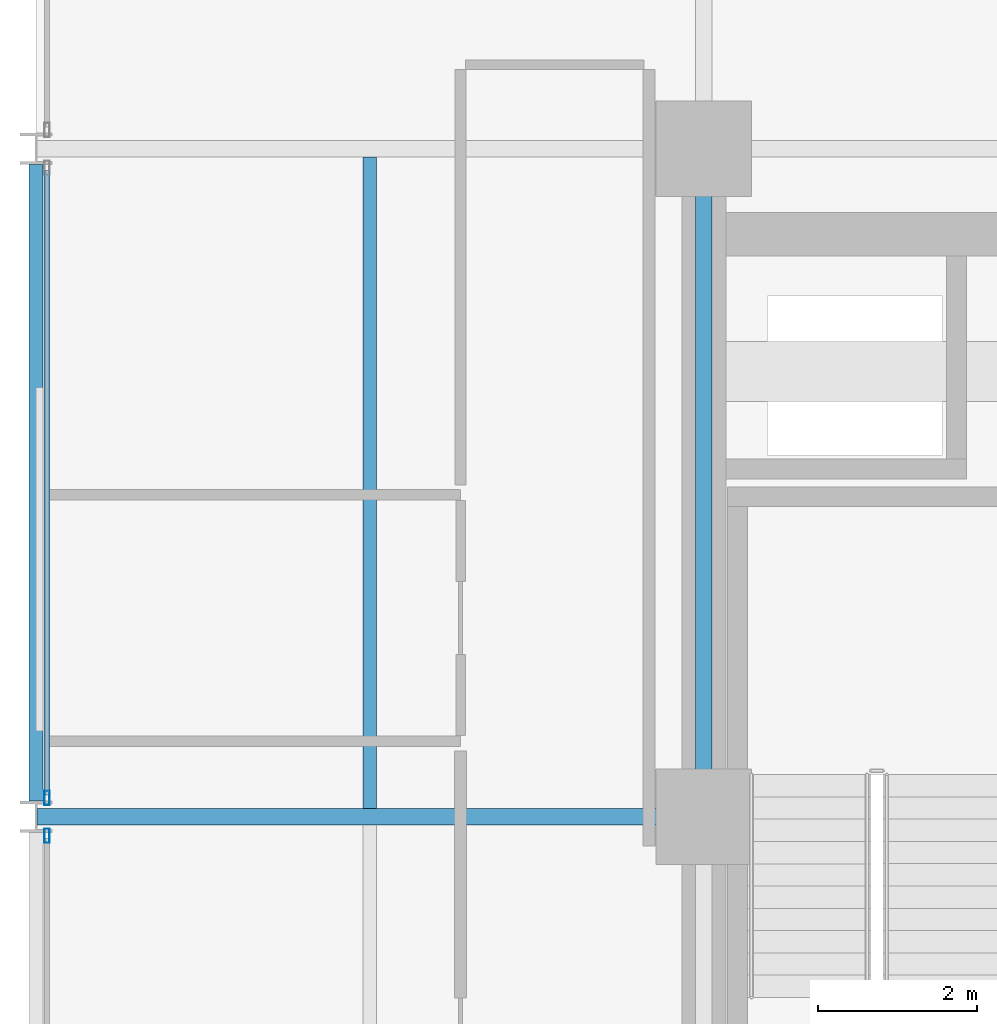
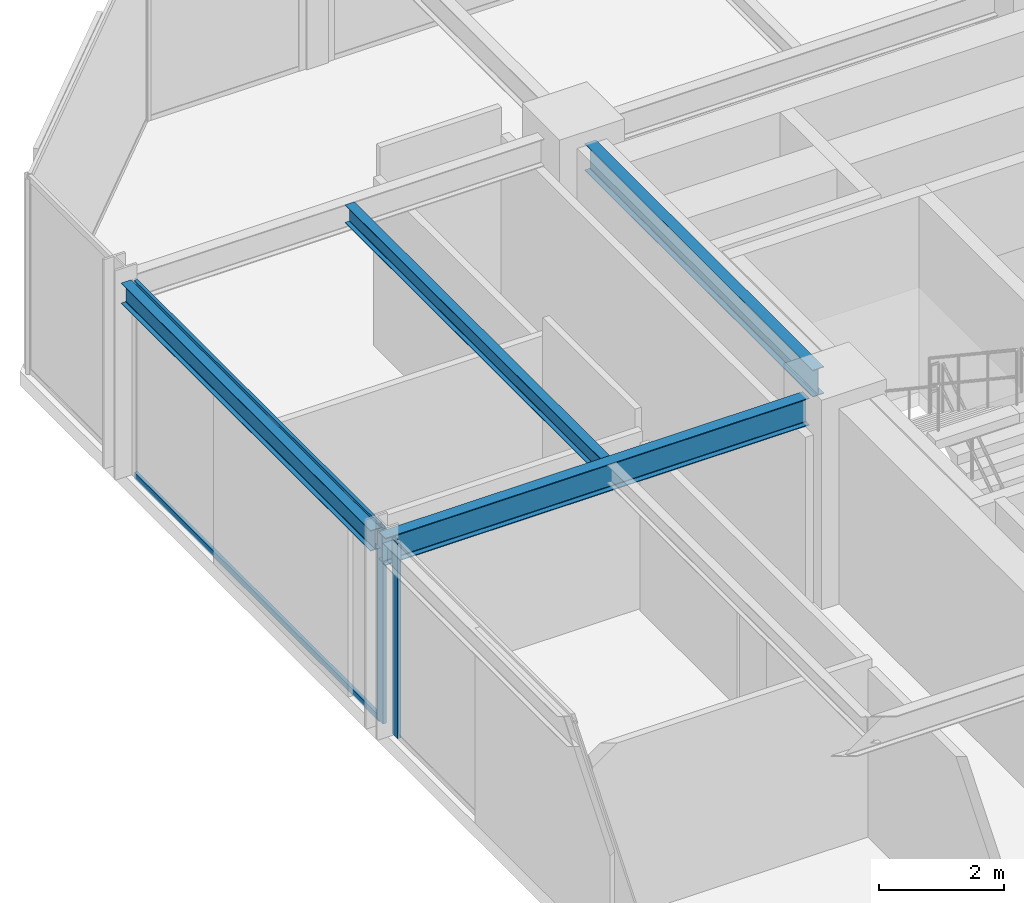
# One storey, part 16 of 29: 4 beams, 4 members, 2 elements without a shape of their own.
"""IFC4 building model written with IfcOpenShell, lengths in metres."""

from ifc_helpers import new_model, si_unit, direction, frame, origin, origin_2d, place, context, subcontext, project, spatial, hollow_rectangle, i_section, extrude, material, layer, layer_set, material_profile, profile_set, type_object, element, aggregate, save


model = new_model("IFC4")

# Units and contexts
model_context = context("Model", 3, precision=1e-05, world=origin(), true_north=direction((0.0, 1.0)))
body_context = subcontext(model_context, "Body", "Model", "MODEL_VIEW")
ifc_project = project(units=[si_unit("LENGTHUNIT", "METRE"), si_unit("AREAUNIT", "SQUARE_METRE"), si_unit("VOLUMEUNIT", "CUBIC_METRE"), si_unit("PLANEANGLEUNIT", "RADIAN"), si_unit("MASSUNIT", "GRAM", prefix="KILO")], contexts=[model_context])

# Site, building, storey
site_placement = place(None, origin())
site = spatial("IfcSite", under=ifc_project, at=site_placement, CompositionType="ELEMENT")
building_placement = place(site_placement, origin())
building = spatial("IfcBuilding", under=site, at=building_placement, Name="Nerrivon Quay Data Exchange", CompositionType="ELEMENT")
storey_placement = place(building_placement, frame((0.0, 0.0, 133.60009765625)))
storey = spatial("IfcBuildingStorey", under=building, at=storey_placement, Name="L31", CompositionType="ELEMENT", Elevation=133.60009765625)

# Beams
ifc_material_1 = material(Name="Steel Grade 350", Category="steel")
ifc_material_profile_1 = material_profile(ifc_material_1, i_section(OverallWidth=0.208984375, OverallDepth=0.532958984375, WebThickness=0.01025390625, FlangeThickness=0.015625, FilletRadius=0.013916015625, at=origin_2d()), Name="530UB92.4")
ifc_profile_set_1 = profile_set([ifc_material_profile_1], Name="Steel Grade 350")
beam_type_1 = type_object("IfcBeamType", Name="BM-G3-530UB92", PredefinedType="BEAM", material=ifc_profile_set_1)
beam_1_placement = place(storey_placement, frame((0.012451171875, 33.60009765625, 3.558349609375), z_axis=(1.0, 0.0, 0.0), x_axis=(0.0, 1.0, 0.0)))
element("IfcBeam", 1, at=beam_1_placement, inside=storey, type_object=beam_type_1, Name="L31 EW Girder Y=33.6 (0.0..8.4)", PredefinedType="BEAM", context=body_context, shape_type="SweptSolid", body=[
    extrude(i_section(OverallWidth=0.208984375, OverallDepth=0.532958984375, WebThickness=0.01025390625, FlangeThickness=0.015625, FilletRadius=0.013916015625, at=origin_2d()), origin(), (0.0, 0.0, 1.0), 7.84765625),
])
ifc_material_profile_2 = material_profile(ifc_material_1, i_section(OverallWidth=0.208984375, OverallDepth=0.528076171875, WebThickness=0.009521484375, FlangeThickness=0.01318359375, FilletRadius=0.013916015625, at=origin_2d()), Name="530UB82.0")
ifc_profile_set_2 = profile_set([ifc_material_profile_2], Name="Steel Grade 350")
beam_type_2 = type_object("IfcBeamType", Name="BM-G4-530UB82", PredefinedType="BEAM", material=ifc_profile_set_2)
beam_2_placement = place(storey_placement, frame((8.39990234375, 34.139892578125, 3.560791015625), z_axis=(0.0, 1.0, 0.0), x_axis=(-1.0, 0.0, 0.0)))
element("IfcBeam", 2, at=beam_2_placement, inside=storey, type_object=beam_type_2, Name="L31 NS Girder X=8.4 (33.6..42.0)", PredefinedType="BEAM", context=body_context, shape_type="SweptSolid", body=[
    extrude(i_section(OverallWidth=0.208984375, OverallDepth=0.528076171875, WebThickness=0.009521484375, FlangeThickness=0.01318359375, FilletRadius=0.013916015625, at=origin_2d()), origin(), (0.0, 0.0, 1.0), 7.320068359375),
])
ifc_material_profile_3 = material_profile(ifc_material_1, i_section(OverallWidth=0.1708984375, OverallDepth=0.35595703125, WebThickness=0.00732421875, FlangeThickness=0.011474609375, FilletRadius=0.011474609375, at=origin_2d()), Name="360UB50.7")
ifc_profile_set_3 = profile_set([ifc_material_profile_3], Name="Steel Grade 350")
beam_type_3 = type_object("IfcBeamType", Name="BM-J4-360UB51", PredefinedType="JOIST", material=ifc_profile_set_3)
beam_3_placement = place(storey_placement, frame((4.199951171875, 33.70458984375, 3.64697265625), z_axis=(0.0, 1.0, 0.0), x_axis=(-1.0, 0.0, 0.0)))
element("IfcBeam", 3, at=beam_3_placement, inside=storey, type_object=beam_type_3, Name="L31 Secondary Joist X=4.2 (33.6..42.0)", PredefinedType="JOIST", context=body_context, shape_type="SweptSolid", body=[
    extrude(i_section(OverallWidth=0.1708984375, OverallDepth=0.35595703125, WebThickness=0.00732421875, FlangeThickness=0.011474609375, FilletRadius=0.011474609375, at=origin_2d()), origin(), (0.0, 0.0, 1.0), 8.19091796875),
])
ifc_material_profile_4 = material_profile(ifc_material_1, i_section(OverallWidth=0.177978515625, OverallDepth=0.403076171875, WebThickness=0.007568359375, FlangeThickness=0.010986328125, FilletRadius=0.011474609375, at=origin_2d()), Name="410UB53.7")
ifc_profile_set_4 = profile_set([ifc_material_profile_4], Name="Steel Grade 350")
beam_type_4 = type_object("IfcBeamType", Name="BM-SP2-410UB54", PredefinedType="SPANDREL", material=ifc_profile_set_4)
beam_4_placement = place(storey_placement, frame((0.0, 33.800048828125, 3.623291015625), z_axis=(0.0, 1.0, 0.0), x_axis=(-1.0, 0.0, 0.0)))
element("IfcBeam", 4, at=beam_4_placement, inside=storey, type_object=beam_type_4, Name="L31 NS Girder X=0.0 (33.6..42.0)", PredefinedType="SPANDREL", context=body_context, shape_type="SweptSolid", body=[
    extrude(i_section(OverallWidth=0.177978515625, OverallDepth=0.403076171875, WebThickness=0.007568359375, FlangeThickness=0.010986328125, FilletRadius=0.011474609375, at=origin_2d()), origin(), (0.0, 0.0, 1.0), 8.0),
])

# Curtain wall, member
ifc_material_2 = material(Name="Anodised aluminium 6063-T6", Category="aluminium")
ifc_layer = layer(ifc_material_2, 0.2099609375)
ifc_layer_set = layer_set([ifc_layer], Name="Anodised aluminium 6063-T6")
curtain_wall_type = type_object("IfcCurtainWallType", Name="CW-SYS-02", PredefinedType="NOTDEFINED", material=ifc_layer_set)
curtain_wall_1_placement = place(storey_placement, origin())
curtain_wall_1 = element("IfcCurtainWall", 5, at=curtain_wall_1_placement, inside=storey, type_object=curtain_wall_type, Name="L31 Unitised Curtain Wall 14", PredefinedType="NOTDEFINED")
ifc_material_profile_5 = material_profile(ifc_material_2, hollow_rectangle(XDim=0.06494140625, YDim=0.179931640625, WallThickness=0.00341796875, at=origin_2d()), Name="ALU-MULL-180x65")
ifc_profile_set_5 = profile_set([ifc_material_profile_5], Name="Anodised aluminium 6063-T6")
member_type_1 = type_object("IfcMemberType", Name="CWM-180x65", PredefinedType="MULLION", material=ifc_profile_set_5)
member_1_placement = place(storey_placement, frame((0.139892578125, 33.362548828125, 0.0), z_axis=(0.0, 0.0, 1.0), x_axis=(-1.0, 0.0, 0.0)))
member_1 = element("IfcMember", 6, at=member_1_placement, type_object=member_type_1, Name="CW02 mullion 2", PredefinedType="MULLION", context=body_context, shape_type="SweptSolid", body=[
    extrude(hollow_rectangle(XDim=0.06494140625, YDim=0.179931640625, WallThickness=0.00341796875, at=origin_2d()), origin(), (0.0, 0.0, 1.0), 3.824951171875),
])
aggregate(curtain_wall_1, [member_1])

# Curtain wall, members
curtain_wall_2_placement = place(storey_placement, origin())
curtain_wall_2 = element("IfcCurtainWall", 7, at=curtain_wall_2_placement, inside=storey, type_object=curtain_wall_type, Name="L31 Unitised Curtain Wall 15", PredefinedType="NOTDEFINED")
member_2_placement = place(storey_placement, frame((0.139892578125, 33.83740234375, 0.0), z_axis=(0.0, 0.0, 1.0), x_axis=(-1.0, 0.0, 0.0)))
member_2 = element("IfcMember", 8, at=member_2_placement, type_object=member_type_1, Name="CW02 mullion 1", PredefinedType="MULLION", context=body_context, shape_type="SweptSolid", body=[
    extrude(hollow_rectangle(XDim=0.06494140625, YDim=0.179931640625, WallThickness=0.00341796875, at=origin_2d()), origin(), (0.0, 0.0, 1.0), 3.824951171875),
])
ifc_material_profile_6 = material_profile(ifc_material_2, hollow_rectangle(XDim=0.06005859375, YDim=0.1201171875, WallThickness=0.003173828125, at=origin_2d()), Name="ALU-TRAN-120x60")
ifc_profile_set_6 = profile_set([ifc_material_profile_6], Name="Anodised aluminium 6063-T6")
member_type_2 = type_object("IfcMemberType", Name="CWT-120x60", PredefinedType="USERDEFINED", material=ifc_profile_set_6)
member_3_placement = place(storey_placement, frame((0.139892578125, 33.875, 0.032470703125), z_axis=(0.0, 1.0, 0.0), x_axis=(-1.0, 0.0, 0.0)))
member_3 = element("IfcMember", 9, at=member_3_placement, type_object=member_type_2, Name="CW02 transom 1.1", ObjectType="TRANSOM", PredefinedType="USERDEFINED", context=body_context, shape_type="SweptSolid", body=[
    extrude(hollow_rectangle(XDim=0.06005859375, YDim=0.1201171875, WallThickness=0.003173828125, at=origin_2d()), origin(), (0.0, 0.0, 1.0), 7.85009765625),
])
member_4_placement = place(storey_placement, frame((0.139892578125, 33.875, 3.79248046875), z_axis=(0.0, 1.0, 0.0), x_axis=(-1.0, 0.0, 0.0)))
member_4 = element("IfcMember", 10, at=member_4_placement, type_object=member_type_2, Name="CW02 transom 1.2", ObjectType="TRANSOM", PredefinedType="USERDEFINED", context=body_context, shape_type="SweptSolid", body=[
    extrude(hollow_rectangle(XDim=0.06005859375, YDim=0.1201171875, WallThickness=0.003173828125, at=origin_2d()), origin(), (0.0, 0.0, 1.0), 7.85009765625),
])
aggregate(curtain_wall_2, [member_2, member_3, member_4])

save(model, "model.ifc")
